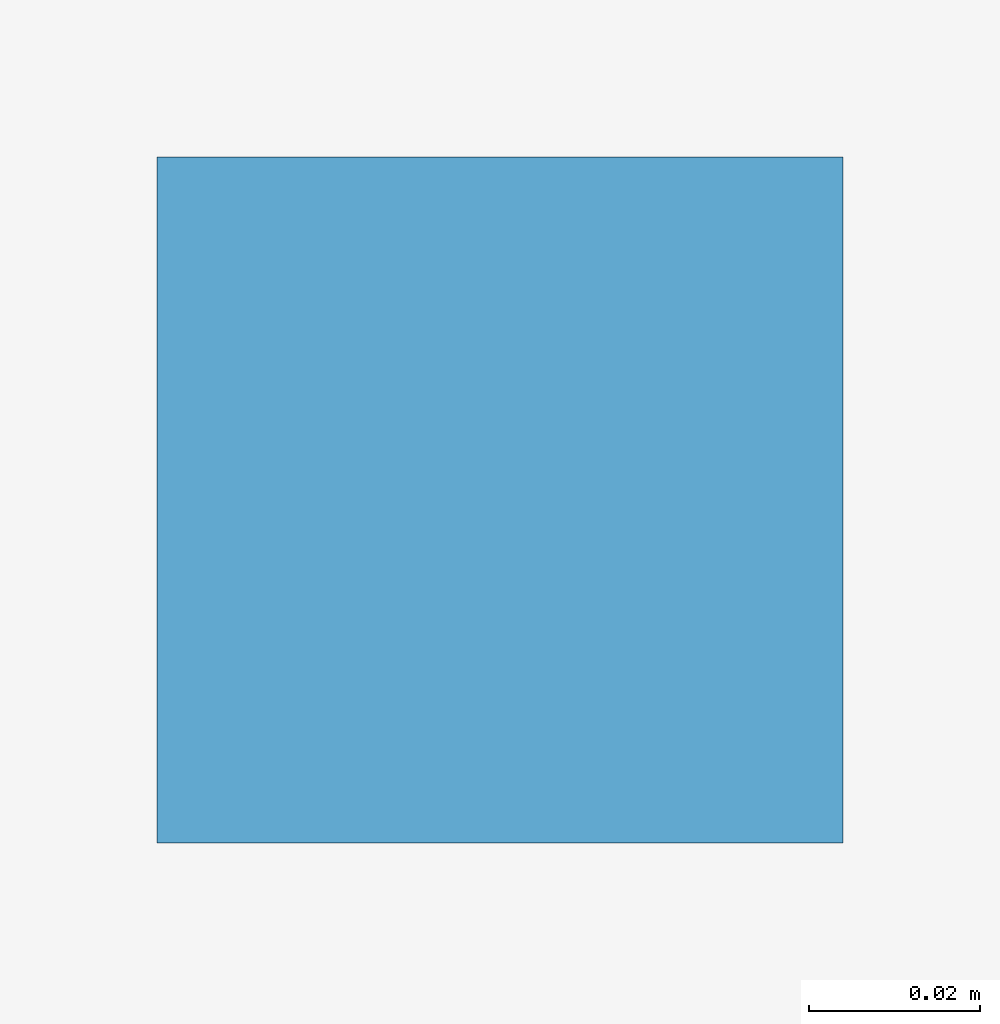
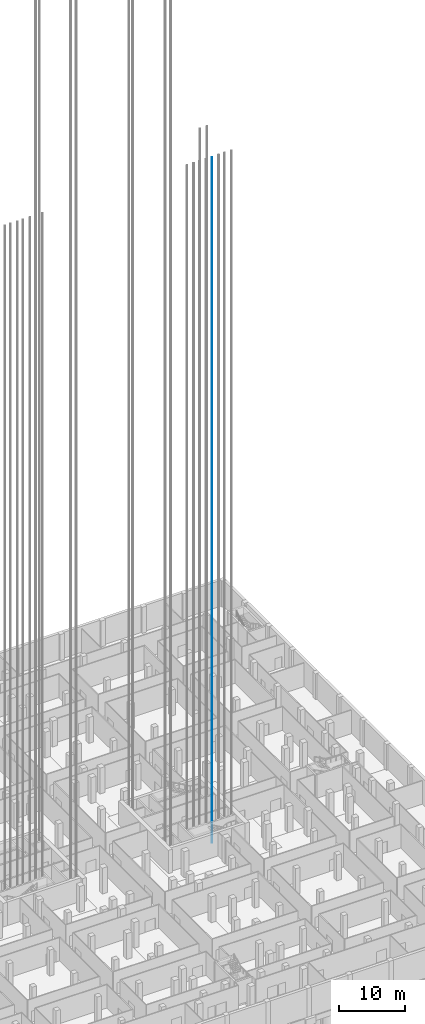
# One storey, part 46 of 54: 1 discrete accessory.
"""IFC4 building model written with IfcOpenShell, lengths in metres."""

from ifc_helpers import new_model, si_unit, direction, frame, origin, origin_2d, place, context, subcontext, project, spatial, rectangle, extrude, material, element, save


model = new_model("IFC4")

# Units and contexts
model_context = context("Model", 3, precision=1e-05, world=origin(), true_north=direction((0.0, 1.0)))
body_context = subcontext(model_context, "Body", "Model", "MODEL_VIEW")
ifc_project = project(units=[si_unit("LENGTHUNIT", "METRE"), si_unit("AREAUNIT", "SQUARE_METRE"), si_unit("VOLUMEUNIT", "CUBIC_METRE"), si_unit("PLANEANGLEUNIT", "RADIAN"), si_unit("MASSUNIT", "GRAM", prefix="KILO")], contexts=[model_context])

# Site, building, storey
site_placement = place(None, origin())
site = spatial("IfcSite", under=ifc_project, at=site_placement, CompositionType="ELEMENT")
building_placement = place(site_placement, origin())
building = spatial("IfcBuilding", under=site, at=building_placement, Name="Fustian Cross Tower", CompositionType="ELEMENT")
storey_placement = place(building_placement, frame((0.0, 0.0, -4.800048828125)))
storey = spatial("IfcBuildingStorey", under=building, at=storey_placement, Name="B1", CompositionType="ELEMENT", Elevation=-4.800048828125)

# Discrete accessory
ifc_material = material(Name="Steel S355", Category="steel")
discrete_accessory_placement = place(storey_placement, frame((17.074951171875, -3.7099609375, 0.0), z_axis=(0.0, 0.0, 1.0), x_axis=(1.0, 0.0, 0.0)))
element("IfcDiscreteAccessory", 1, at=discrete_accessory_placement, inside=storey, material=ifc_material, Name="Lift guide rail LR3 1", PredefinedType="NOTDEFINED", context=body_context, shape_type="SweptSolid", body=[
    extrude(rectangle(XDim=0.080078125, YDim=0.080078125, at=origin_2d()), origin(), (0.0, 0.0, 1.0), 127.14990234375),
])

save(model, "model.ifc")
